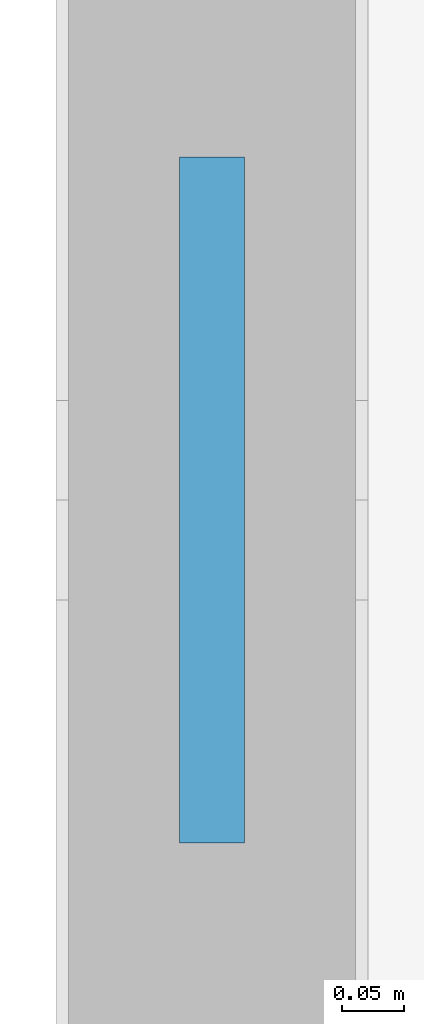
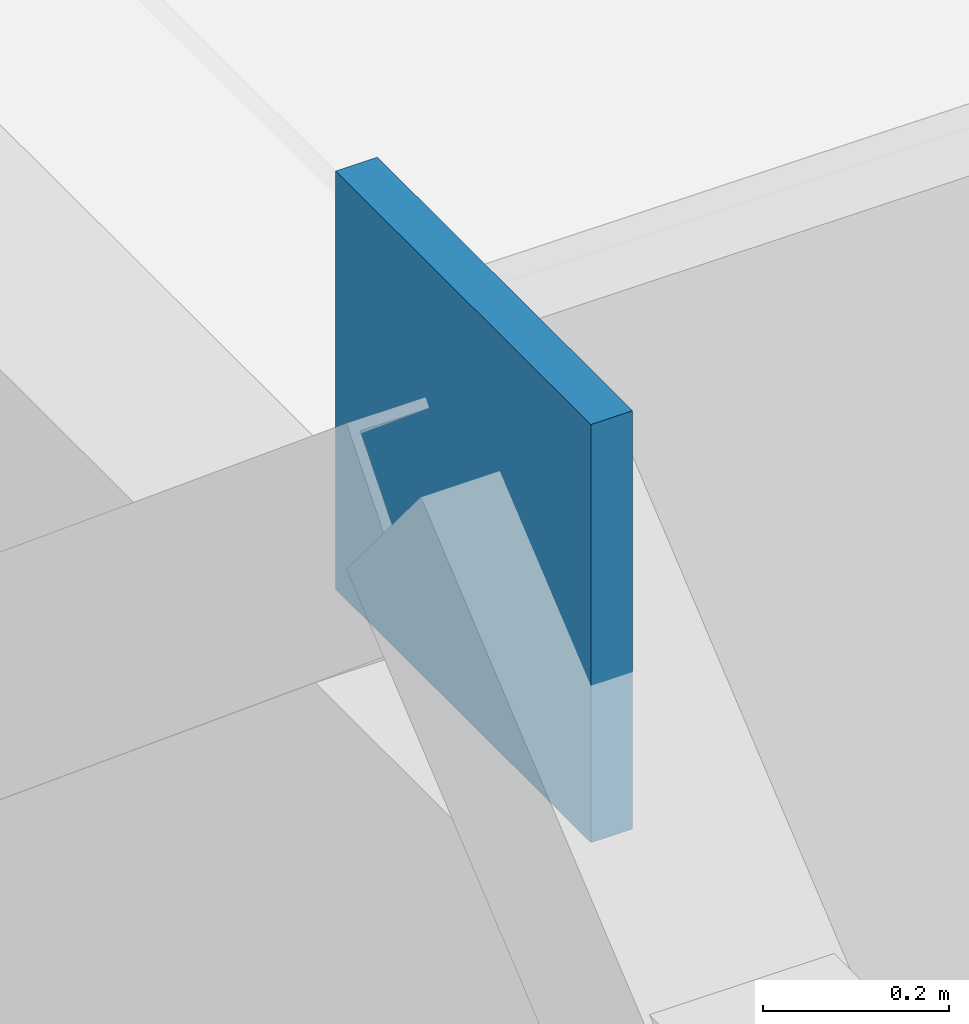
# One storey, part 55 of 96: 1 plate.
"""IFC4 building model written with IfcOpenShell, lengths in metres."""

from ifc_helpers import new_model, si_unit, direction, frame, origin, origin_2d, place, context, subcontext, project, spatial, rectangle, extrude, material, layer, layer_set, type_object, element, save


model = new_model("IFC4")

# Units and contexts
model_context = context("Model", 3, precision=1e-05, world=origin(), true_north=direction((0.0, 1.0)))
body_context = subcontext(model_context, "Body", "Model", "MODEL_VIEW")
ifc_project = project(units=[si_unit("LENGTHUNIT", "METRE"), si_unit("AREAUNIT", "SQUARE_METRE"), si_unit("VOLUMEUNIT", "CUBIC_METRE"), si_unit("PLANEANGLEUNIT", "RADIAN"), si_unit("MASSUNIT", "GRAM", prefix="KILO")], contexts=[model_context])

# Site, building, storey
site_placement = place(None, origin())
site = spatial("IfcSite", under=ifc_project, at=site_placement, CompositionType="ELEMENT")
building_placement = place(site_placement, origin())
building = spatial("IfcBuilding", under=site, at=building_placement, Name="Yarey Park Central Fire Station", CompositionType="ELEMENT")
storey_placement = place(building_placement, frame((0.0, 0.0, 14.39990234375)))
storey = spatial("IfcBuildingStorey", under=building, at=storey_placement, Name="L04", CompositionType="ELEMENT", Elevation=14.39990234375)

# Plate
ifc_material = material(Name="Steel ASTM A572 Gr. 50", Category="steel")
ifc_layer = layer(ifc_material, 0.052001953125)
ifc_layer_set = layer_set([ifc_layer], Name="Steel ASTM A572 Gr. 50")
plate_type = type_object("IfcPlateType", Name="STR_PLT_NODE3", PredefinedType="USERDEFINED", material=ifc_layer_set)
plate_placement = place(storey_placement, frame((115.199951171875, 104.39990234375, 2.77490234375), z_axis=(0.0, 0.0, 1.0), x_axis=(1.0, 0.0, 0.0)))
element("IfcPlate", 1, at=plate_placement, inside=storey, type_object=plate_type, Name="NODE_PLT_V4_L04", ObjectType="GUSSET_PLATE", PredefinedType="USERDEFINED", context=body_context, shape_type="SweptSolid", body=[
    extrude(rectangle(XDim=0.052001953125, YDim=0.550048828125, at=origin_2d()), origin(), (0.0, 0.0, 1.0), 0.550048828125),
])

save(model, "model.ifc")
